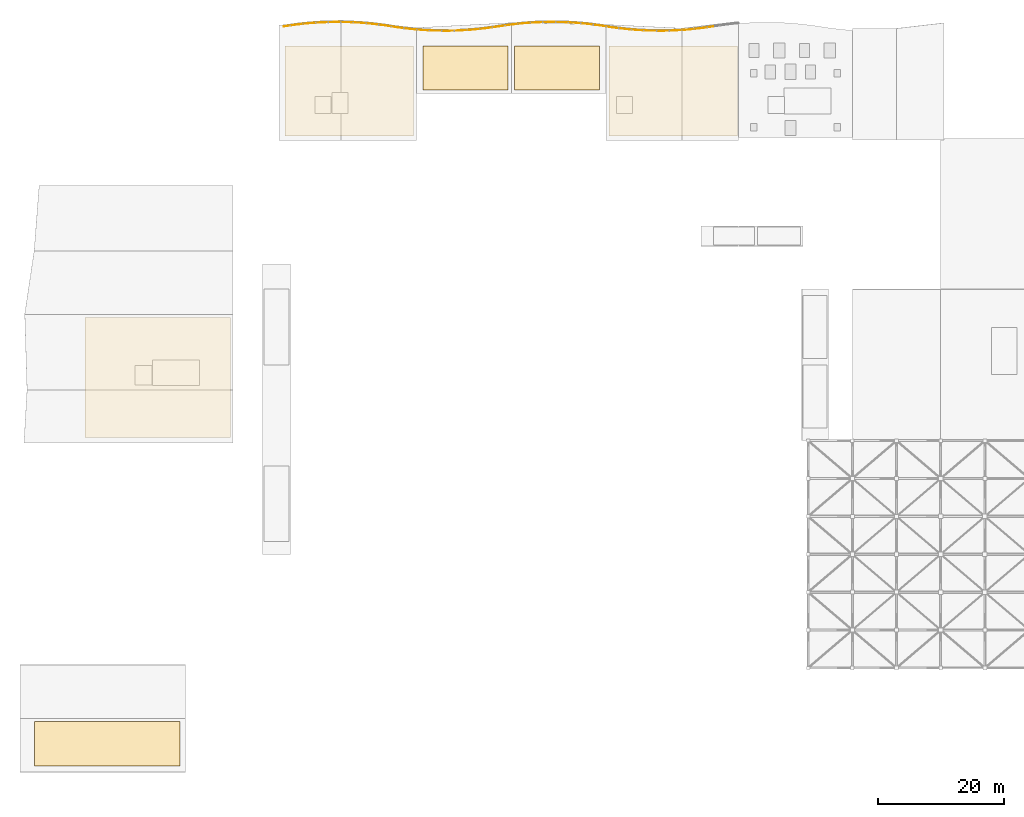
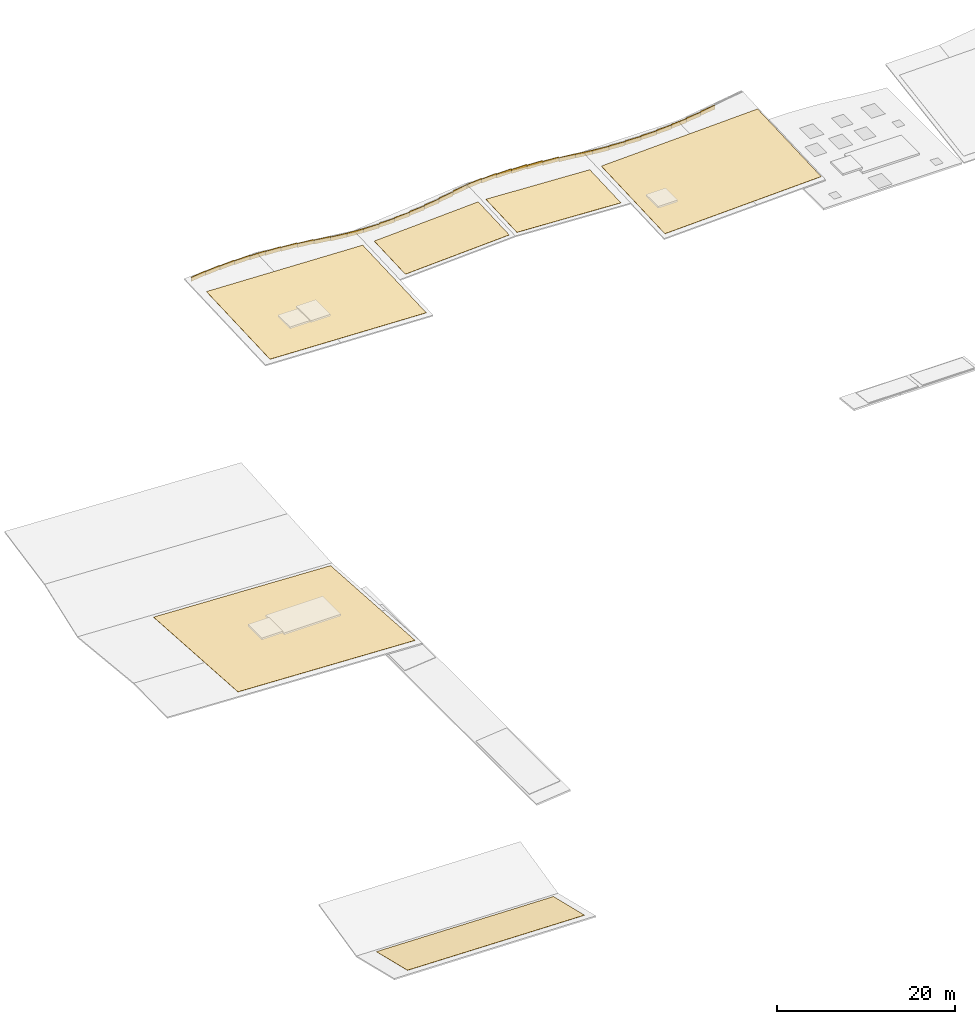
# One storey, part 10 of 11: 40 coverings.
"""IFC4 building model written with IfcOpenShell, lengths in metres."""

from ifc_helpers import new_model, si_unit, direction, frame, origin, place, context, subcontext, project, spatial, polyline, outline, extrude, material, layer, layer_set, type_object, element, save


model = new_model("IFC4")

# Units and contexts
model_context = context("Model", 3, precision=1e-05, world=origin(), true_north=direction((0.0, 1.0)))
body_context = subcontext(model_context, "Body", "Model", "MODEL_VIEW")
ifc_project = project(units=[si_unit("LENGTHUNIT", "METRE"), si_unit("AREAUNIT", "SQUARE_METRE"), si_unit("VOLUMEUNIT", "CUBIC_METRE"), si_unit("PLANEANGLEUNIT", "RADIAN"), si_unit("MASSUNIT", "GRAM", prefix="KILO")], contexts=[model_context])

# Site, building, storey
site_placement = place(None, origin())
site = spatial("IfcSite", under=ifc_project, at=site_placement, CompositionType="ELEMENT")
building_placement = place(site_placement, origin())
building = spatial("IfcBuilding", under=site, at=building_placement, Name="Tonlespit Floodbar School", CompositionType="ELEMENT")
storey_placement = place(building_placement, frame((0.0, 0.0, 24.0)))
storey = spatial("IfcBuildingStorey", under=building, at=storey_placement, Name="RF", CompositionType="ELEMENT", Elevation=24.0)

# Coverings
ifc_material_1 = material(Name="White Architectural Aluminium", Category="aluminium")
ifc_layer_1 = layer(ifc_material_1, 0.050048828125)
ifc_layer_set_1 = layer_set([ifc_layer_1], Name="White Architectural Aluminium")
covering_type_1 = type_object("IfcCoveringType", Name="Cladding_WhiteBand_50", PredefinedType="CLADDING", material=ifc_layer_set_1)
covering_1_placement = place(storey_placement, frame((0.0, 0.0, 0.641357421875)))
element("IfcCovering", 1, at=covering_1_placement, inside=storey, type_object=covering_type_1, Name="RF curved white spandrel cladding 0381", PredefinedType="CLADDING", context=body_context, shape_type="SweptSolid", body=[
    extrude(outline(polyline([(44.0, 121.550048828125), (46.0, 121.841552734375), (45.992919921875, 121.89111328125), (43.992919921875, 121.599609375), (44.0, 121.550048828125)])), origin(), (0.0, 0.0, 1.0), 0.580078125),
])
covering_2_placement = place(storey_placement, frame((0.0, 0.0, 0.5791015625)))
element("IfcCovering", 2, at=covering_2_placement, inside=storey, type_object=covering_type_1, Name="RF curved white spandrel cladding 0383", PredefinedType="CLADDING", context=body_context, shape_type="SweptSolid", body=[
    extrude(outline(polyline([(46.0, 121.841552734375), (48.0, 122.05419921875), (47.99462890625, 122.10400390625), (45.99462890625, 121.891357421875), (46.0, 121.841552734375)])), origin(), (0.0, 0.0, 1.0), 0.579833984375),
])
covering_3_placement = place(storey_placement, frame((0.0, 0.0, 0.51318359375)))
element("IfcCovering", 3, at=covering_3_placement, inside=storey, type_object=covering_type_1, Name="RF curved white spandrel cladding 0385", PredefinedType="CLADDING", context=body_context, shape_type="SweptSolid", body=[
    extrude(outline(polyline([(48.0, 122.05419921875), (50.0, 122.189208984375), (49.99658203125, 122.2392578125), (47.99658203125, 122.104248046875), (48.0, 122.05419921875)])), origin(), (0.0, 0.0, 1.0), 0.580078125),
])
covering_4_placement = place(storey_placement, frame((0.0, 0.0, 0.444091796875)))
element("IfcCovering", 4, at=covering_4_placement, inside=storey, type_object=covering_type_1, Name="RF curved white spandrel cladding 0387", PredefinedType="CLADDING", context=body_context, shape_type="SweptSolid", body=[
    extrude(outline(polyline([(50.0, 122.189208984375), (52.0, 122.2470703125), (51.99853515625, 122.297119140625), (49.99853515625, 122.2392578125), (50.0, 122.189208984375)])), origin(), (0.0, 0.0, 1.0), 0.580078125),
])
covering_5_placement = place(storey_placement, frame((0.0, 0.0, 0.371826171875)))
element("IfcCovering", 5, at=covering_5_placement, inside=storey, type_object=covering_type_1, Name="RF curved white spandrel cladding 0389", PredefinedType="CLADDING", context=body_context, shape_type="SweptSolid", body=[
    extrude(outline(polyline([(52.0, 122.2470703125), (54.0, 122.227783203125), (54.00048828125, 122.27783203125), (52.00048828125, 122.297119140625), (52.0, 122.2470703125)])), origin(), (0.0, 0.0, 1.0), 0.580078125),
])
covering_6_placement = place(storey_placement, frame((0.0, 0.0, 0.296142578125)))
element("IfcCovering", 6, at=covering_6_placement, inside=storey, type_object=covering_type_1, Name="RF curved white spandrel cladding 0391", PredefinedType="CLADDING", context=body_context, shape_type="SweptSolid", body=[
    extrude(outline(polyline([(54.0, 122.227783203125), (56.0, 122.131591796875), (56.00244140625, 122.181396484375), (54.00244140625, 122.277587890625), (54.0, 122.227783203125)])), origin(), (0.0, 0.0, 1.0), 0.580078125),
])
covering_7_placement = place(storey_placement, frame((0.0, 0.0, 0.217041015625)))
element("IfcCovering", 7, at=covering_7_placement, inside=storey, type_object=covering_type_1, Name="RF curved white spandrel cladding 0393", PredefinedType="CLADDING", context=body_context, shape_type="SweptSolid", body=[
    extrude(outline(polyline([(56.0, 122.131591796875), (58.0, 121.957763671875), (58.00439453125, 122.007568359375), (56.00439453125, 122.181396484375), (56.0, 122.131591796875)])), origin(), (0.0, 0.0, 1.0), 0.580078125),
])
covering_8_placement = place(storey_placement, frame((0.0, 0.0, 0.134521484375)))
element("IfcCovering", 8, at=covering_8_placement, inside=storey, type_object=covering_type_1, Name="RF curved white spandrel cladding 0395", PredefinedType="CLADDING", context=body_context, shape_type="SweptSolid", body=[
    extrude(outline(polyline([(58.0, 121.957763671875), (60.0, 121.705810546875), (60.00634765625, 121.75537109375), (58.00634765625, 122.00732421875), (58.0, 121.957763671875)])), origin(), (0.0, 0.0, 1.0), 0.580078125),
])
covering_9_placement = place(storey_placement, frame((0.0, 0.0, 0.049560546875)))
element("IfcCovering", 9, at=covering_9_placement, inside=storey, type_object=covering_type_1, Name="RF curved white spandrel cladding 0397", PredefinedType="CLADDING", context=body_context, shape_type="SweptSolid", body=[
    extrude(outline(polyline([(60.0, 121.705810546875), (62.0, 121.394287109375), (62.0078125, 121.443603515625), (60.0078125, 121.755126953125), (60.0, 121.705810546875)])), origin(), (0.0, 0.0, 1.0), 0.580078125),
])
covering_10_placement = place(storey_placement, frame((0.0, 0.0, -0.03271484375)))
element("IfcCovering", 10, at=covering_10_placement, inside=storey, type_object=covering_type_1, Name="RF curved white spandrel cladding 0399", PredefinedType="CLADDING", context=body_context, shape_type="SweptSolid", body=[
    extrude(outline(polyline([(62.0, 121.394287109375), (64.0, 121.142333984375), (64.00634765625, 121.19189453125), (62.00634765625, 121.44384765625), (62.0, 121.394287109375)])), origin(), (0.0, 0.0, 1.0), 0.579833984375),
])
covering_11_placement = place(storey_placement, frame((0.0, 0.0, -0.03271484375)))
element("IfcCovering", 11, at=covering_11_placement, inside=storey, type_object=covering_type_1, Name="RF curved white spandrel cladding 0401", PredefinedType="CLADDING", context=body_context, shape_type="SweptSolid", body=[
    extrude(outline(polyline([(64.0, 121.142333984375), (66.0, 120.968505859375), (66.00439453125, 121.018310546875), (64.00439453125, 121.192138671875), (64.0, 121.142333984375)])), origin(), (0.0, 0.0, 1.0), 0.579833984375),
])
covering_12_placement = place(storey_placement, frame((0.0, 0.0, -0.02685546875)))
element("IfcCovering", 12, at=covering_12_placement, inside=storey, type_object=covering_type_1, Name="RF curved white spandrel cladding 0403", PredefinedType="CLADDING", context=body_context, shape_type="SweptSolid", body=[
    extrude(outline(polyline([(66.0, 120.968505859375), (68.0, 120.872314453125), (68.00244140625, 120.922119140625), (66.00244140625, 121.018310546875), (66.0, 120.968505859375)])), origin(), (0.0, 0.0, 1.0), 0.580078125),
])
covering_13_placement = place(storey_placement, frame((0.0, 0.0, 0.06787109375)))
element("IfcCovering", 13, at=covering_13_placement, inside=storey, type_object=covering_type_1, Name="RF curved white spandrel cladding 0405", PredefinedType="CLADDING", context=body_context, shape_type="SweptSolid", body=[
    extrude(outline(polyline([(68.0, 120.872314453125), (70.0, 120.85302734375), (70.00048828125, 120.903076171875), (68.00048828125, 120.922119140625), (68.0, 120.872314453125)])), origin(), (0.0, 0.0, 1.0), 0.579833984375),
])
covering_14_placement = place(storey_placement, frame((0.0, 0.0, 0.16552734375)))
element("IfcCovering", 14, at=covering_14_placement, inside=storey, type_object=covering_type_1, Name="RF curved white spandrel cladding 0407", PredefinedType="CLADDING", context=body_context, shape_type="SweptSolid", body=[
    extrude(outline(polyline([(70.0, 120.85302734375), (72.0, 120.91064453125), (71.99853515625, 120.960693359375), (69.99853515625, 120.903076171875), (70.0, 120.85302734375)])), origin(), (0.0, 0.0, 1.0), 0.580078125),
])
covering_15_placement = place(storey_placement, frame((0.0, 0.0, 0.2666015625)))
element("IfcCovering", 15, at=covering_15_placement, inside=storey, type_object=covering_type_1, Name="RF curved white spandrel cladding 0409", PredefinedType="CLADDING", context=body_context, shape_type="SweptSolid", body=[
    extrude(outline(polyline([(72.0, 120.91064453125), (74.0, 121.045654296875), (73.99658203125, 121.095703125), (71.99658203125, 120.960693359375), (72.0, 120.91064453125)])), origin(), (0.0, 0.0, 1.0), 0.580078125),
])
covering_16_placement = place(storey_placement, frame((0.0, 0.0, 0.37109375)))
element("IfcCovering", 16, at=covering_16_placement, inside=storey, type_object=covering_type_1, Name="RF curved white spandrel cladding 0411", PredefinedType="CLADDING", context=body_context, shape_type="SweptSolid", body=[
    extrude(outline(polyline([(74.0, 121.045654296875), (76.0, 121.25830078125), (75.99462890625, 121.30810546875), (73.99462890625, 121.095458984375), (74.0, 121.045654296875)])), origin(), (0.0, 0.0, 1.0), 0.580078125),
])
covering_17_placement = place(storey_placement, frame((0.0, 0.0, 0.47900390625)))
element("IfcCovering", 17, at=covering_17_placement, inside=storey, type_object=covering_type_1, Name="RF curved white spandrel cladding 0413", PredefinedType="CLADDING", context=body_context, shape_type="SweptSolid", body=[
    extrude(outline(polyline([(76.0, 121.25830078125), (78.0, 121.550048828125), (77.992919921875, 121.599609375), (75.992919921875, 121.307861328125), (76.0, 121.25830078125)])), origin(), (0.0, 0.0, 1.0), 0.580078125),
])
covering_18_placement = place(storey_placement, frame((0.0, 0.0, 0.59033203125)))
element("IfcCovering", 18, at=covering_18_placement, inside=storey, type_object=covering_type_1, Name="RF curved white spandrel cladding 0415", PredefinedType="CLADDING", context=body_context, shape_type="SweptSolid", body=[
    extrude(outline(polyline([(78.0, 121.550048828125), (80.0, 121.841552734375), (79.992919921875, 121.89111328125), (77.992919921875, 121.599609375), (78.0, 121.550048828125)])), origin(), (0.0, 0.0, 1.0), 0.580078125),
])
covering_19_placement = place(storey_placement, frame((0.0, 0.0, 0.612060546875)))
element("IfcCovering", 19, at=covering_19_placement, inside=storey, type_object=covering_type_1, Name="RF curved white spandrel cladding 0417", PredefinedType="CLADDING", context=body_context, shape_type="SweptSolid", body=[
    extrude(outline(polyline([(80.0, 121.841552734375), (82.0, 122.05419921875), (81.99462890625, 122.10400390625), (79.99462890625, 121.891357421875), (80.0, 121.841552734375)])), origin(), (0.0, 0.0, 1.0), 0.580078125),
])
covering_20_placement = place(storey_placement, frame((0.0, 0.0, 0.519287109375)))
element("IfcCovering", 20, at=covering_20_placement, inside=storey, type_object=covering_type_1, Name="RF curved white spandrel cladding 0419", PredefinedType="CLADDING", context=body_context, shape_type="SweptSolid", body=[
    extrude(outline(polyline([(82.0, 122.05419921875), (84.0, 122.189208984375), (83.99658203125, 122.2392578125), (81.99658203125, 122.104248046875), (82.0, 122.05419921875)])), origin(), (0.0, 0.0, 1.0), 0.580078125),
])
covering_21_placement = place(storey_placement, frame((0.0, 0.0, 0.423095703125)))
element("IfcCovering", 21, at=covering_21_placement, inside=storey, type_object=covering_type_1, Name="RF curved white spandrel cladding 0421", PredefinedType="CLADDING", context=body_context, shape_type="SweptSolid", body=[
    extrude(outline(polyline([(84.0, 122.189208984375), (86.0, 122.2470703125), (85.99853515625, 122.297119140625), (83.99853515625, 122.2392578125), (84.0, 122.189208984375)])), origin(), (0.0, 0.0, 1.0), 0.580078125),
])
covering_22_placement = place(storey_placement, frame((0.0, 0.0, 0.323486328125)))
element("IfcCovering", 22, at=covering_22_placement, inside=storey, type_object=covering_type_1, Name="RF curved white spandrel cladding 0423", PredefinedType="CLADDING", context=body_context, shape_type="SweptSolid", body=[
    extrude(outline(polyline([(86.0, 122.2470703125), (88.0, 122.227783203125), (88.00048828125, 122.27783203125), (86.00048828125, 122.297119140625), (86.0, 122.2470703125)])), origin(), (0.0, 0.0, 1.0), 0.580078125),
])
covering_23_placement = place(storey_placement, frame((0.0, 0.0, 0.220703125)))
element("IfcCovering", 23, at=covering_23_placement, inside=storey, type_object=covering_type_1, Name="RF curved white spandrel cladding 0425", PredefinedType="CLADDING", context=body_context, shape_type="SweptSolid", body=[
    extrude(outline(polyline([(88.0, 122.227783203125), (90.0, 122.131591796875), (90.00244140625, 122.181396484375), (88.00244140625, 122.277587890625), (88.0, 122.227783203125)])), origin(), (0.0, 0.0, 1.0), 0.580078125),
])
covering_24_placement = place(storey_placement, frame((0.0, 0.0, 0.114501953125)))
element("IfcCovering", 24, at=covering_24_placement, inside=storey, type_object=covering_type_1, Name="RF curved white spandrel cladding 0427", PredefinedType="CLADDING", context=body_context, shape_type="SweptSolid", body=[
    extrude(outline(polyline([(90.0, 122.131591796875), (92.0, 121.957763671875), (92.00439453125, 122.007568359375), (90.00439453125, 122.181396484375), (90.0, 122.131591796875)])), origin(), (0.0, 0.0, 1.0), 0.580078125),
])
covering_25_placement = place(storey_placement, frame((0.0, 0.0, 0.0048828125)))
element("IfcCovering", 25, at=covering_25_placement, inside=storey, type_object=covering_type_1, Name="RF curved white spandrel cladding 0429", PredefinedType="CLADDING", context=body_context, shape_type="SweptSolid", body=[
    extrude(outline(polyline([(92.0, 121.957763671875), (94.0, 121.705810546875), (94.00634765625, 121.75537109375), (92.00634765625, 122.00732421875), (92.0, 121.957763671875)])), origin(), (0.0, 0.0, 1.0), 0.580078125),
])
covering_26_placement = place(storey_placement, frame((0.0, 0.0, -0.02099609375)))
element("IfcCovering", 26, at=covering_26_placement, inside=storey, type_object=covering_type_1, Name="RF curved white spandrel cladding 0431", PredefinedType="CLADDING", context=body_context, shape_type="SweptSolid", body=[
    extrude(outline(polyline([(94.0, 121.705810546875), (96.0, 121.394287109375), (96.0078125, 121.443603515625), (94.0078125, 121.755126953125), (94.0, 121.705810546875)])), origin(), (0.0, 0.0, 1.0), 0.580078125),
])
covering_27_placement = place(storey_placement, frame((0.0, 0.0, -0.02099609375)))
element("IfcCovering", 27, at=covering_27_placement, inside=storey, type_object=covering_type_1, Name="RF curved white spandrel cladding 0433", PredefinedType="CLADDING", context=body_context, shape_type="SweptSolid", body=[
    extrude(outline(polyline([(96.0, 121.394287109375), (98.0, 121.142333984375), (98.00634765625, 121.19189453125), (96.00634765625, 121.44384765625), (96.0, 121.394287109375)])), origin(), (0.0, 0.0, 1.0), 0.580078125),
])
covering_28_placement = place(storey_placement, frame((0.0, 0.0, 0.04150390625)))
element("IfcCovering", 28, at=covering_28_placement, inside=storey, type_object=covering_type_1, Name="RF curved white spandrel cladding 0435", PredefinedType="CLADDING", context=body_context, shape_type="SweptSolid", body=[
    extrude(outline(polyline([(98.0, 121.142333984375), (100.0, 120.968505859375), (100.00439453125, 121.018310546875), (98.00439453125, 121.192138671875), (98.0, 121.142333984375)])), origin(), (0.0, 0.0, 1.0), 0.580078125),
])
covering_29_placement = place(storey_placement, frame((0.0, 0.0, 0.107421875)))
element("IfcCovering", 29, at=covering_29_placement, inside=storey, type_object=covering_type_1, Name="RF curved white spandrel cladding 0437", PredefinedType="CLADDING", context=body_context, shape_type="SweptSolid", body=[
    extrude(outline(polyline([(100.0, 120.968505859375), (102.0, 120.872314453125), (102.00244140625, 120.922119140625), (100.00244140625, 121.018310546875), (100.0, 120.968505859375)])), origin(), (0.0, 0.0, 1.0), 0.580078125),
])
covering_30_placement = place(storey_placement, frame((0.0, 0.0, 0.176513671875)))
element("IfcCovering", 30, at=covering_30_placement, inside=storey, type_object=covering_type_1, Name="RF curved white spandrel cladding 0439", PredefinedType="CLADDING", context=body_context, shape_type="SweptSolid", body=[
    extrude(outline(polyline([(102.0, 120.872314453125), (104.0, 120.85302734375), (104.00048828125, 120.903076171875), (102.00048828125, 120.922119140625), (102.0, 120.872314453125)])), origin(), (0.0, 0.0, 1.0), 0.580078125),
])
covering_31_placement = place(storey_placement, frame((0.0, 0.0, 0.249267578125)))
element("IfcCovering", 31, at=covering_31_placement, inside=storey, type_object=covering_type_1, Name="RF curved white spandrel cladding 0441", PredefinedType="CLADDING", context=body_context, shape_type="SweptSolid", body=[
    extrude(outline(polyline([(104.0, 120.85302734375), (106.0, 120.91064453125), (105.99853515625, 120.960693359375), (103.99853515625, 120.903076171875), (104.0, 120.85302734375)])), origin(), (0.0, 0.0, 1.0), 0.579833984375),
])
covering_32_placement = place(storey_placement, frame((0.0, 0.0, 0.3251953125)))
element("IfcCovering", 32, at=covering_32_placement, inside=storey, type_object=covering_type_1, Name="RF curved white spandrel cladding 0443", PredefinedType="CLADDING", context=body_context, shape_type="SweptSolid", body=[
    extrude(outline(polyline([(106.0, 120.91064453125), (108.0, 121.045654296875), (107.99658203125, 121.095703125), (105.99658203125, 120.960693359375), (106.0, 120.91064453125)])), origin(), (0.0, 0.0, 1.0), 0.579833984375),
])
covering_33_placement = place(storey_placement, frame((0.0, 0.0, 0.404296875)))
element("IfcCovering", 33, at=covering_33_placement, inside=storey, type_object=covering_type_1, Name="RF curved white spandrel cladding 0445", PredefinedType="CLADDING", context=body_context, shape_type="SweptSolid", body=[
    extrude(outline(polyline([(108.0, 121.045654296875), (110.0, 121.25830078125), (109.99462890625, 121.30810546875), (107.99462890625, 121.095458984375), (108.0, 121.045654296875)])), origin(), (0.0, 0.0, 1.0), 0.580078125),
])
covering_34_placement = place(storey_placement, frame((0.0, 0.0, 0.48681640625)))
element("IfcCovering", 34, at=covering_34_placement, inside=storey, type_object=covering_type_1, Name="RF curved white spandrel cladding 0447", PredefinedType="CLADDING", context=body_context, shape_type="SweptSolid", body=[
    extrude(outline(polyline([(110.0, 121.25830078125), (112.0, 121.550048828125), (111.992919921875, 121.599609375), (109.992919921875, 121.307861328125), (110.0, 121.25830078125)])), origin(), (0.0, 0.0, 1.0), 0.580078125),
])
ifc_material_2 = material(Name="Standing-Seam Zinc-Aluminium Roofing", Category="aluminium")
ifc_layer_2 = layer(ifc_material_2, 0.02490234375)
ifc_layer_set_2 = layer_set([ifc_layer_2], Name="Standing-Seam Zinc-Aluminium Roofing")
covering_type_2 = type_object("IfcCoveringType", Name="Roofing_StandingSeam_25", PredefinedType="ROOFING", material=ifc_layer_set_2)
covering_35_placement = place(storey_placement, frame((44.199951171875, 104.199951171875, 0.41943359375), z_axis=(0.035723050215, -0.043092153258, 0.998432236064), x_axis=(0.999360540333, 0.0, -0.035756264146)))
element("IfcCovering", 35, at=covering_35_placement, inside=storey, type_object=covering_type_2, Name="Standing-seam roof membrane 01", PredefinedType="ROOFING", context=body_context, shape_type="SweptSolid", body=[
    extrude(outline(polyline([(0.0, 0.0), (20.313038196769693, 0.0), (20.290969877491975, 14.313344468928276), (-0.02206831927771619, 14.313344468928276), (0.0, 0.0)])), origin(), (0.0, 0.0, -1.0), 0.02490234375),
])
covering_36_placement = place(storey_placement, frame((66.0, 111.5, 0.03955078125), z_axis=(-0.049228805749, -0.043085516888, 0.997857786921), x_axis=(0.998785270952, 0.0, 0.049274562702)))
element("IfcCovering", 36, at=covering_36_placement, inside=storey, type_object=covering_type_2, Name="Standing-seam roof membrane 02", PredefinedType="ROOFING", context=body_context, shape_type="SweptSolid", body=[
    extrude(outline(polyline([(0.0, 0.0), (13.516418786525673, -6.938893903907228e-18), (13.53131183062352, 7.006506326153188), (0.014893044097848508, 7.006506326153188), (0.0, 0.0)])), origin(), (0.0, 0.0, -1.0), 0.02490234375),
])
covering_37_placement = place(storey_placement, frame((80.5, 111.5, 0.70556640625), z_axis=(0.049228805749, -0.043085516888, 0.997857786921), x_axis=(0.998785270952, 0.0, -0.049274562702)))
element("IfcCovering", 37, at=covering_37_placement, inside=storey, type_object=covering_type_2, Name="Standing-seam roof membrane 03", PredefinedType="ROOFING", context=body_context, shape_type="SweptSolid", body=[
    extrude(outline(polyline([(0.0, 0.0), (13.516418786525673, 6.938893903907228e-18), (13.501525742427825, 7.006506326153188), (-0.014893044097848508, 7.006506326153188), (0.0, 0.0)])), origin(), (0.0, 0.0, -1.0), 0.02490234375),
])
covering_38_placement = place(storey_placement, frame((95.5, 104.199951171875, -0.306396484375), z_axis=(-0.036634429526, -0.04309073056, 0.998399272592), x_axis=(0.999327484835, 0.0, 0.036668488571)))
element("IfcCovering", 38, at=covering_38_placement, inside=storey, type_object=covering_type_2, Name="Standing-seam roof membrane 04", PredefinedType="ROOFING", context=body_context, shape_type="SweptSolid", body=[
    extrude(outline(polyline([(0.0, 0.0), (20.313710106236627, -6.938893903907228e-18), (20.336341439026842, 14.313343589800795), (0.022631332790213492, 14.313343589800796), (0.0, 0.0)])), origin(), (0.0, 0.0, -1.0), 0.02490234375),
])
covering_39_placement = place(storey_placement, frame((12.5, 56.5, -5.240966796875), z_axis=(0.042518739989, 0.065970825387, 0.996915245619), x_axis=(0.999091714685, 0.0, -0.04261156706)))
element("IfcCovering", 39, at=covering_39_placement, inside=storey, type_object=covering_type_2, Name="Standing-seam roof membrane 05", PredefinedType="ROOFING", context=body_context, shape_type="SweptSolid", body=[
    extrude(outline(polyline([(0.0, 0.0), (23.02090955408059, 0.0), (23.07448610934424, 19.04148087055682), (0.05357655526365168, 19.04148087055682), (0.0, 0.0)])), origin(), (0.0, 0.0, -1.0), 0.02490234375),
])
covering_40_placement = place(storey_placement, frame((4.5, 4.5, -9.144287109375), z_axis=(0.020324124529, 0.234405394182, 0.97192645871), x_axis=(0.999781433053, 0.0, -0.02090660478)))
element("IfcCovering", 40, at=covering_40_placement, inside=storey, type_object=covering_type_2, Name="Standing-seam roof membrane 07", PredefinedType="ROOFING", context=body_context, shape_type="SweptSolid", body=[
    extrude(outline(polyline([(0.0, 0.0), (23.005028138776726, -1.3877787807814457e-17), (23.040323346797635, 7.200616845698756), (0.03529520802090936, 7.200616845698756), (0.0, 0.0)])), origin(), (0.0, 0.0, -1.0), 0.02490234375),
])

save(model, "model.ifc")
